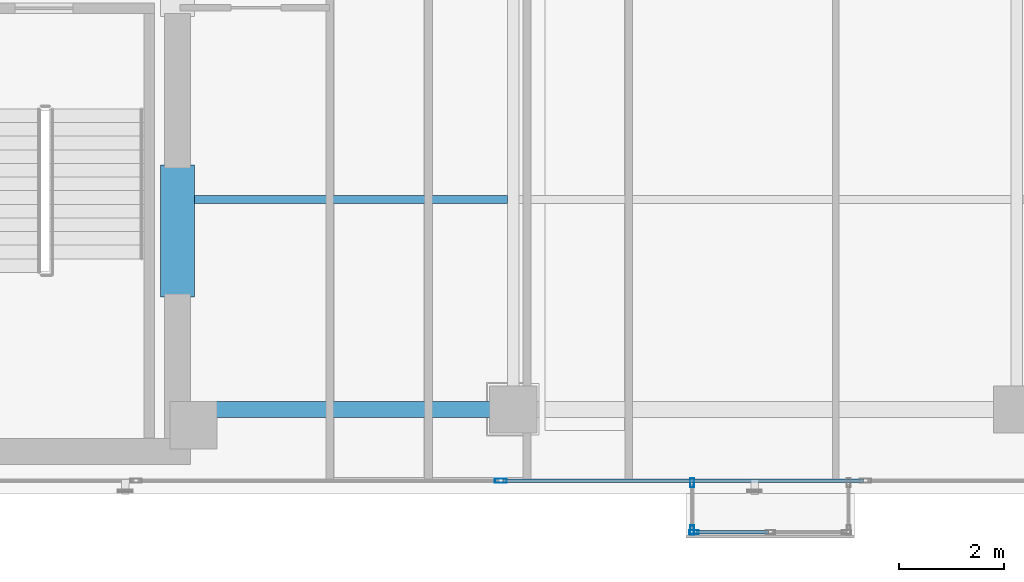
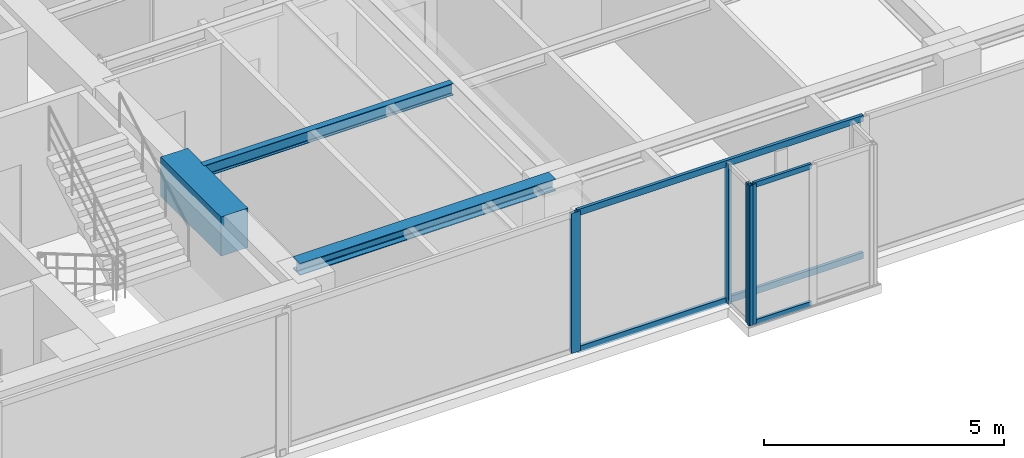
# One storey, part 4 of 22: 8 members, 3 beams, 3 elements without a shape of their own.
"""IFC4 building model written with IfcOpenShell, lengths in metres."""

from ifc_helpers import new_model, si_unit, direction, frame, origin, origin_with_axes, origin_2d, place, context, subcontext, project, spatial, rectangle, hollow_rectangle, i_section, extrude, source, transform, mapped, material, layer, layer_set, material_profile, profile_set, type_object, element, aggregate, save


model = new_model("IFC4")

# Units and contexts
model_context = context("Model", 3, precision=1e-05, world=origin(), true_north=direction((0.0, 1.0)))
body_context = subcontext(model_context, "Body", "Model", "MODEL_VIEW")
ifc_project = project(units=[si_unit("LENGTHUNIT", "METRE"), si_unit("AREAUNIT", "SQUARE_METRE"), si_unit("VOLUMEUNIT", "CUBIC_METRE"), si_unit("PLANEANGLEUNIT", "RADIAN"), si_unit("MASSUNIT", "GRAM", prefix="KILO")], contexts=[model_context])

# Site, building, storey
site_placement = place(None, origin())
site = spatial("IfcSite", under=ifc_project, at=site_placement, CompositionType="ELEMENT")
building_placement = place(site_placement, origin())
building = spatial("IfcBuilding", under=site, at=building_placement, Name="Kolvaren Waterfront Exchange", CompositionType="ELEMENT")
storey_placement = place(building_placement, frame((0.0, 0.0, 312.199951171875)))
storey = spatial("IfcBuildingStorey", under=building, at=storey_placement, Name="L80", CompositionType="ELEMENT", Elevation=312.199951171875)

# Beams
ifc_material_1 = material(Name="Steel S355", Category="steel")
ifc_material_profile_1 = material_profile(ifc_material_1, i_section(OverallWidth=0.300048828125, OverallDepth=0.300048828125, WebThickness=0.010986328125, FlangeThickness=0.01904296875, FilletRadius=0.027099609375, at=origin_2d()), Name="HEB300")
ifc_profile_set_1 = profile_set([ifc_material_profile_1], Name="Steel S355")
beam_type_1 = type_object("IfcBeamType", Name="STR-BM-HEB300", PredefinedType="SPANDREL", material=ifc_profile_set_1)
beam_1_placement = place(storey_placement, frame((21.050048828125, 5.199951171875, 3.41015625), z_axis=(1.0, 0.0, 0.0), x_axis=(0.0, 1.0, 0.0)))
element("IfcBeam", 1, at=beam_1_placement, inside=storey, type_object=beam_type_1, Name="L80 east-arm spandrel S1", PredefinedType="SPANDREL", context=body_context, shape_type="SweptSolid", body=[
    extrude(i_section(OverallWidth=0.300048828125, OverallDepth=0.300048828125, WebThickness=0.010986328125, FlangeThickness=0.01904296875, FilletRadius=0.027099609375, at=origin_2d()), origin(), (0.0, 0.0, 1.0), 6.14990234375),
])
ifc_material_profile_2 = material_profile(ifc_material_1, i_section(OverallWidth=0.14990234375, OverallDepth=0.300048828125, WebThickness=0.007080078125, FlangeThickness=0.0107421875, FilletRadius=0.014892578125, at=origin_2d()), Name="IPE300")
ifc_profile_set_2 = profile_set([ifc_material_profile_2], Name="Steel S355")
beam_type_2 = type_object("IfcBeamType", Name="STR-BM-IPE300", PredefinedType="JOIST", material=ifc_profile_set_2)
beam_2_placement = place(storey_placement, frame((21.10009765625, 9.199951171875, 3.41015625), z_axis=(1.0, 0.0, 0.0), x_axis=(0.0, 1.0, 0.0)))
element("IfcBeam", 2, at=beam_2_placement, inside=storey, type_object=beam_type_2, Name="L80 east-arm composite joist 1B", PredefinedType="JOIST", context=body_context, shape_type="SweptSolid", body=[
    extrude(i_section(OverallWidth=0.14990234375, OverallDepth=0.300048828125, WebThickness=0.007080078125, FlangeThickness=0.0107421875, FilletRadius=0.014892578125, at=origin_2d()), origin(), (0.0, 0.0, 1.0), 5.98779296875),
])
ifc_material_2 = material(Name="Concrete C60/75", Category="concrete")
ifc_material_profile_3 = material_profile(ifc_material_2, rectangle(XDim=0.64990234375, YDim=1.0, at=origin_2d()), Name="RC-CB-1000x650")
ifc_profile_set_3 = profile_set([ifc_material_profile_3], Name="Concrete C60/75")
beam_type_3 = type_object("IfcBeamType", Name="STR-CB-1000", PredefinedType="SPANDREL", material=ifc_profile_set_3)
beam_3_placement = place(storey_placement, frame((20.800048828125, 7.340087890625, 3.06005859375), z_axis=(0.0, 1.0, 0.0), x_axis=(-1.0, 0.0, 0.0)))
element("IfcBeam", 3, at=beam_3_placement, inside=storey, type_object=beam_type_3, Name="L80 core coupling beam 1", PredefinedType="SPANDREL", context=body_context, shape_type="SweptSolid", body=[
    extrude(rectangle(XDim=0.64990234375, YDim=1.0, at=origin_2d()), origin(), (0.0, 0.0, 1.0), 2.52001953125),
])

# Curtain wall, members
ifc_material_3 = material(Name="Anodised bronze aluminium 6063-T6", Category="aluminium")
ifc_layer_1 = layer(ifc_material_3, 0.219970703125, Name="Anodised bronze aluminium 6063-T6")
ifc_layer_set_1 = layer_set([ifc_layer_1], Name="Anodised bronze aluminium 6063-T6")
curtain_wall_type_1 = type_object("IfcCurtainWallType", Name="ARC-CW-SYS3", PredefinedType="USERDEFINED", material=ifc_layer_set_1)
curtain_wall_1_placement = place(storey_placement, origin())
curtain_wall_1 = element("IfcCurtainWall", 4, at=curtain_wall_1_placement, inside=storey, type_object=curtain_wall_type_1, Name="L80 stick curtain wall CW3 (CW-L80-BOX)", ObjectType="STICK CURTAIN WALL", PredefinedType="USERDEFINED")
ifc_material_profile_4 = material_profile(ifc_material_3, hollow_rectangle(XDim=0.06494140625, YDim=0.1298828125, WallThickness=0.00390625, at=origin_2d()), Name="ALU-TRN-130x65x4")
ifc_profile_set_4 = profile_set([ifc_material_profile_4], Name="Anodised bronze aluminium 6063-T6")
member_type_1 = type_object("IfcMemberType", Name="ARC-CWT-130", PredefinedType="USERDEFINED", material=ifc_profile_set_4)
shared_shape_1 = source(origin_with_axes(), body_context, "Body", "SweptSolid", [
    extrude(hollow_rectangle(XDim=0.06494140625, YDim=0.1298828125, WallThickness=0.00390625, at=origin_2d()), origin(), (0.0, 0.0, 1.0), 1.37744140625),
])
member_1_placement = place(storey_placement, frame((30.68505859375, 2.860107421875, 0.032470703125), z_axis=(1.0, 0.0, 0.0), x_axis=(0.0, 1.0, 0.0)))
member_1 = element("IfcMember", 5, at=member_1_placement, type_object=member_type_1, Name="CW3 transom 1.1", ObjectType="TRANSOM", PredefinedType="USERDEFINED", context=body_context, shape_type="MappedRepresentation", body=[
    mapped(shared_shape_1, transform((0.0, 0.0, 0.0), x_axis=(1.0, 0.0, 0.0), y_axis=(0.0, 1.0, 0.0), z_axis=(0.0, 0.0, 1.0), scale=1.0)),
])
member_2_placement = place(storey_placement, frame((30.68505859375, 2.860107421875, 3.527587890625), z_axis=(1.0, 0.0, 0.0), x_axis=(0.0, 1.0, 0.0)))
member_2 = element("IfcMember", 6, at=member_2_placement, type_object=member_type_1, Name="CW3 transom 1.2", ObjectType="TRANSOM", PredefinedType="USERDEFINED", context=body_context, shape_type="MappedRepresentation", body=[
    mapped(shared_shape_1, transform((0.0, 0.0, 0.0), x_axis=(1.0, 0.0, 0.0), y_axis=(0.0, 1.0, 0.0), z_axis=(0.0, 0.0, 1.0), scale=1.0)),
])

curtain_wall_2_placement = place(storey_placement, origin())
curtain_wall_2 = element("IfcCurtainWall", 7, at=curtain_wall_2_placement, inside=storey, type_object=curtain_wall_type_1, Name="L80 stick curtain wall CW3 (CW-L80-BOX-W)", ObjectType="STICK CURTAIN WALL", PredefinedType="USERDEFINED")
ifc_material_profile_5 = material_profile(ifc_material_3, hollow_rectangle(XDim=0.074951171875, YDim=0.179931640625, WallThickness=0.00439453125, at=origin_2d()), Name="ALU-MUL-180x75x4.5")
ifc_profile_set_5 = profile_set([ifc_material_profile_5], Name="Anodised bronze aluminium 6063-T6")
member_type_2 = type_object("IfcMemberType", Name="ARC-CWM-180", PredefinedType="MULLION", material=ifc_profile_set_5)
shared_shape_2 = source(origin_with_axes(), body_context, "Body", "SweptSolid", [
    extrude(hollow_rectangle(XDim=0.074951171875, YDim=0.179931640625, WallThickness=0.00439453125, at=origin_2d()), origin(), (0.0, 0.0, 1.0), 3.56005859375),
])
member_3_placement = place(storey_placement, frame((30.610107421875, 3.802490234375, 0.0), z_axis=(0.0, 0.0, 1.0), x_axis=(1.0, 0.0, 0.0)))
member_3 = element("IfcMember", 8, at=member_3_placement, type_object=member_type_2, Name="CW3 mullion 1", PredefinedType="MULLION", context=body_context, shape_type="MappedRepresentation", body=[
    mapped(shared_shape_2, transform((0.0, 0.0, 0.0), x_axis=(1.0, 0.0, 0.0), y_axis=(0.0, 1.0, 0.0), z_axis=(0.0, 0.0, 1.0), scale=1.0)),
])
member_4_placement = place(storey_placement, frame((30.610107421875, 2.8974609375, 0.0), z_axis=(0.0, 0.0, 1.0), x_axis=(1.0, 0.0, 0.0)))
member_4 = element("IfcMember", 9, at=member_4_placement, type_object=member_type_2, Name="CW3 mullion 2", PredefinedType="MULLION", context=body_context, shape_type="MappedRepresentation", body=[
    mapped(shared_shape_2, transform((0.0, 0.0, 0.0), x_axis=(1.0, 0.0, 0.0), y_axis=(0.0, 1.0, 0.0), z_axis=(0.0, 0.0, 1.0), scale=1.0)),
])
aggregate(curtain_wall_2, [member_3, member_4])

# Member
member_5_placement = place(storey_placement, frame((30.6474609375, 2.860107421875, 0.0), z_axis=(0.0, 0.0, 1.0), x_axis=(0.0, 1.0, 0.0)))
member_5 = element("IfcMember", 10, at=member_5_placement, type_object=member_type_2, Name="CW3 mullion 1", PredefinedType="MULLION", context=body_context, shape_type="MappedRepresentation", body=[
    mapped(shared_shape_2, transform((0.0, 0.0, 0.0), x_axis=(1.0, 0.0, 0.0), y_axis=(0.0, 1.0, 0.0), z_axis=(0.0, 0.0, 1.0), scale=1.0)),
])

aggregate(curtain_wall_1, [member_5, member_1, member_2])

# Curtain wall, members
ifc_layer_2 = layer(ifc_material_3, 0.219970703125, Name="Anodised bronze aluminium 6063-T6")
ifc_layer_set_2 = layer_set([ifc_layer_2], Name="Anodised bronze aluminium 6063-T6")
curtain_wall_type_2 = type_object("IfcCurtainWallType", Name="ARC-CW-SYS1", PredefinedType="USERDEFINED", material=ifc_layer_set_2)
curtain_wall_3_placement = place(storey_placement, origin())
curtain_wall_3 = element("IfcCurtainWall", 11, at=curtain_wall_3_placement, inside=storey, type_object=curtain_wall_type_2, Name="L80 stick curtain wall CW1 (CW-L80-S)", ObjectType="STICK CURTAIN WALL", PredefinedType="USERDEFINED")
ifc_material_4 = material(Name="Anodised aluminium 6063-T6", Category="aluminium")
ifc_material_profile_6 = material_profile(ifc_material_4, hollow_rectangle(XDim=0.080078125, YDim=0.219970703125, WallThickness=0.0048828125, at=origin_2d()), Name="ALU-MUL-220x80x5")
ifc_profile_set_6 = profile_set([ifc_material_profile_6], Name="Anodised aluminium 6063-T6")
member_type_3 = type_object("IfcMemberType", Name="ARC-CWM-220", PredefinedType="MULLION", material=ifc_profile_set_6)
shared_shape_3 = source(origin_with_axes(), body_context, "Body", "SweptSolid", [
    extrude(hollow_rectangle(XDim=0.080078125, YDim=0.219970703125, WallThickness=0.0048828125, at=origin_2d()), origin(), (0.0, 0.0, 1.0), 3.56005859375),
])
member_6_placement = place(storey_placement, frame((26.96044921875, 3.840087890625, 0.0), z_axis=(0.0, 0.0, 1.0), x_axis=(0.0, 1.0, 0.0)))
member_6 = element("IfcMember", 12, at=member_6_placement, type_object=member_type_3, Name="CW1 mullion 4", PredefinedType="MULLION", context=body_context, shape_type="MappedRepresentation", body=[
    mapped(shared_shape_3, transform((0.0, 0.0, 0.0), x_axis=(1.0, 0.0, 0.0), y_axis=(0.0, 1.0, 0.0), z_axis=(0.0, 0.0, 1.0), scale=1.0)),
])
ifc_material_profile_7 = material_profile(ifc_material_4, hollow_rectangle(XDim=0.074951171875, YDim=0.159912109375, WallThickness=0.00439453125, at=origin_2d()), Name="ALU-TRN-160x75x4.5")
ifc_profile_set_7 = profile_set([ifc_material_profile_7], Name="Anodised aluminium 6063-T6")
member_type_4 = type_object("IfcMemberType", Name="ARC-CWT-160", PredefinedType="USERDEFINED", material=ifc_profile_set_7)
shared_shape_4 = source(origin_with_axes(), body_context, "Body", "SweptSolid", [
    extrude(hollow_rectangle(XDim=0.074951171875, YDim=0.159912109375, WallThickness=0.00439453125, at=origin_2d()), origin(), (0.0, 0.0, 1.0), 6.87353515625),
])
member_7_placement = place(storey_placement, frame((27.00048828125, 3.840087890625, 0.03759765625), z_axis=(1.0, 0.0, 0.0), x_axis=(0.0, 1.0, 0.0)))
member_7 = element("IfcMember", 13, at=member_7_placement, type_object=member_type_4, Name="CW1 transom 4.1", ObjectType="TRANSOM", PredefinedType="USERDEFINED", context=body_context, shape_type="MappedRepresentation", body=[
    mapped(shared_shape_4, transform((0.0, 0.0, 0.0), x_axis=(1.0, 0.0, 0.0), y_axis=(0.0, 1.0, 0.0), z_axis=(0.0, 0.0, 1.0), scale=1.0)),
])
member_8_placement = place(storey_placement, frame((27.00048828125, 3.840087890625, 3.5224609375), z_axis=(1.0, 0.0, 0.0), x_axis=(0.0, 1.0, 0.0)))
member_8 = element("IfcMember", 14, at=member_8_placement, type_object=member_type_4, Name="CW1 transom 4.2", ObjectType="TRANSOM", PredefinedType="USERDEFINED", context=body_context, shape_type="MappedRepresentation", body=[
    mapped(shared_shape_4, transform((0.0, 0.0, 0.0), x_axis=(1.0, 0.0, 0.0), y_axis=(0.0, 1.0, 0.0), z_axis=(0.0, 0.0, 1.0), scale=1.0)),
])
aggregate(curtain_wall_3, [member_6, member_7, member_8])

save(model, "model.ifc")
